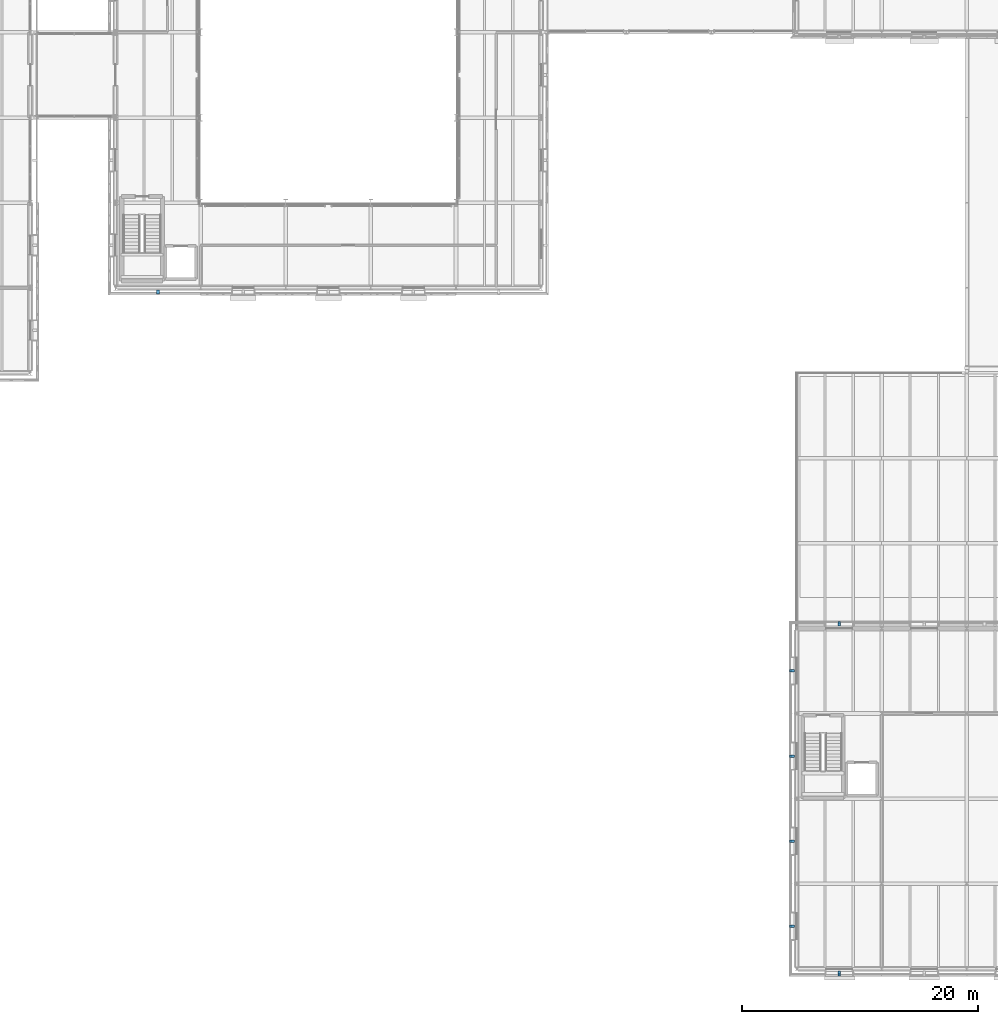
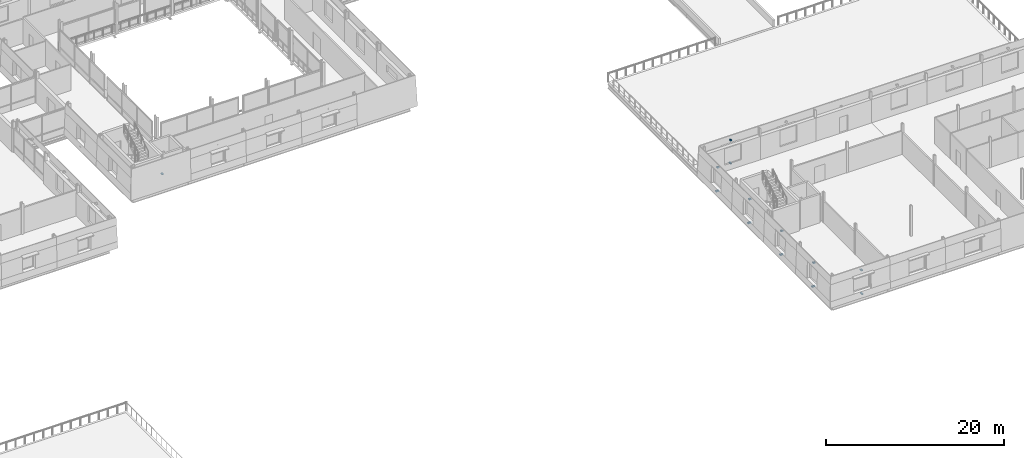
# One storey, part 81 of 115: 13 discrete accessories.
"""IFC4 building model written with IfcOpenShell, lengths in metres."""

from ifc_helpers import new_model, si_unit, direction, frame, origin, origin_2d, place, context, subcontext, project, spatial, rectangle, extrude, material, layer, layer_set, type_object, element, save


model = new_model("IFC4")

# Units and contexts
model_context = context("Model", 3, precision=1e-05, world=origin(), true_north=direction((0.0, 1.0)))
body_context = subcontext(model_context, "Body", "Model", "MODEL_VIEW")
ifc_project = project(units=[si_unit("LENGTHUNIT", "METRE"), si_unit("AREAUNIT", "SQUARE_METRE"), si_unit("VOLUMEUNIT", "CUBIC_METRE"), si_unit("PLANEANGLEUNIT", "RADIAN"), si_unit("MASSUNIT", "GRAM", prefix="KILO")], contexts=[model_context])

# Site, building, storey
site_placement = place(None, origin())
site = spatial("IfcSite", under=ifc_project, at=site_placement, CompositionType="ELEMENT")
building_placement = place(site_placement, origin())
building = spatial("IfcBuilding", under=site, at=building_placement, Name="Narikvali Park Central Library", CompositionType="ELEMENT")
storey_placement = place(building_placement, frame((0.0, 0.0, 10.199951171875)))
storey = spatial("IfcBuildingStorey", under=building, at=storey_placement, Name="L02", CompositionType="ELEMENT", Elevation=10.199951171875)

# Discrete accessories
ifc_material = material(Name="Brushed Stainless Steel S355", Category="steel")
ifc_layer = layer(ifc_material, 0.139892578125, Name="Brushed Stainless Steel S355")
ifc_layer_set = layer_set([ifc_layer], Name="Brushed Stainless Steel S355")
discrete_accessory_type = type_object("IfcDiscreteAccessoryType", Name="Cladding Stainless Tie-Back Corbel Bracket", PredefinedType="BRACKET", material=ifc_layer_set)
discrete_accessory_1_placement = place(storey_placement, frame((68.39990234375, 57.24658203125, 2.0302734375), z_axis=(0.0, 0.0, 1.0), x_axis=(1.0, 0.0, 0.0)))
element("IfcDiscreteAccessory", 1, at=discrete_accessory_1_placement, inside=storey, type_object=discrete_accessory_type, Name="Limestone Cladding Tie-Back Bracket V1-CLD-L02-S-B01-FULL", PredefinedType="BRACKET", context=body_context, shape_type="SweptSolid", body=[
    extrude(rectangle(XDim=0.219970703125, YDim=0.32666015625, at=origin_2d()), origin(), (0.0, 0.0, 1.0), 0.139892578125),
])
discrete_accessory_2_placement = place(storey_placement, frame((126.0, -0.387451171875, 0.365234375), z_axis=(0.0, 0.0, 1.0), x_axis=(1.0, 0.0, 0.0)))
element("IfcDiscreteAccessory", 2, at=discrete_accessory_2_placement, inside=storey, type_object=discrete_accessory_type, Name="Limestone Cladding Tie-Back Bracket V6-CLD-L02-S-B01-SP", PredefinedType="BRACKET", context=body_context, shape_type="SweptSolid", body=[
    extrude(rectangle(XDim=0.219970703125, YDim=0.394775390625, at=origin_2d()), origin(), (0.0, 0.0, 1.0), 0.139892578125),
])
discrete_accessory_3_placement = place(storey_placement, frame((126.0, -0.3212890625, 3.59033203125), z_axis=(0.0, 0.0, 1.0), x_axis=(1.0, 0.0, 0.0)))
element("IfcDiscreteAccessory", 3, at=discrete_accessory_3_placement, inside=storey, type_object=discrete_accessory_type, Name="Limestone Cladding Tie-Back Bracket V6-CLD-L02-S-B01-LN", PredefinedType="BRACKET", context=body_context, shape_type="SweptSolid", body=[
    extrude(rectangle(XDim=0.219970703125, YDim=0.2626953125, at=origin_2d()), origin(), (0.0, 0.0, 1.0), 0.139892578125),
])
discrete_accessory_4_placement = place(storey_placement, frame((126.0, 29.1875, 0.365234375), z_axis=(0.0, 0.0, 1.0), x_axis=(1.0, 0.0, 0.0)))
element("IfcDiscreteAccessory", 4, at=discrete_accessory_4_placement, inside=storey, type_object=discrete_accessory_type, Name="Limestone Cladding Tie-Back Bracket V6-CLD-L02-N-B06-SP", PredefinedType="BRACKET", context=body_context, shape_type="SweptSolid", body=[
    extrude(rectangle(XDim=0.219970703125, YDim=0.394775390625, at=origin_2d()), origin(), (0.0, 0.0, 1.0), 0.139892578125),
])
discrete_accessory_5_placement = place(storey_placement, frame((126.0, 29.121337890625, 3.59033203125), z_axis=(0.0, 0.0, 1.0), x_axis=(1.0, 0.0, 0.0)))
element("IfcDiscreteAccessory", 5, at=discrete_accessory_5_placement, inside=storey, type_object=discrete_accessory_type, Name="Limestone Cladding Tie-Back Bracket V6-CLD-L02-N-B06-LN", PredefinedType="BRACKET", context=body_context, shape_type="SweptSolid", body=[
    extrude(rectangle(XDim=0.219970703125, YDim=0.2626953125, at=origin_2d()), origin(), (0.0, 0.0, 1.0), 0.139892578125),
])
discrete_accessory_6_placement = place(storey_placement, frame((122.0126953125, 25.199951171875, 0.365234375), z_axis=(0.0, 0.0, 1.0), x_axis=(1.0, 0.0, 0.0)))
element("IfcDiscreteAccessory", 6, at=discrete_accessory_6_placement, inside=storey, type_object=discrete_accessory_type, Name="Limestone Cladding Tie-Back Bracket V6-CLD-L02-W-B01-SP", PredefinedType="BRACKET", context=body_context, shape_type="SweptSolid", body=[
    extrude(rectangle(XDim=0.394775390625, YDim=0.219970703125, at=origin_2d()), origin(), (0.0, 0.0, 1.0), 0.139892578125),
])
discrete_accessory_7_placement = place(storey_placement, frame((122.07861328125, 25.199951171875, 3.59033203125), z_axis=(0.0, 0.0, 1.0), x_axis=(1.0, 0.0, 0.0)))
element("IfcDiscreteAccessory", 7, at=discrete_accessory_7_placement, inside=storey, type_object=discrete_accessory_type, Name="Limestone Cladding Tie-Back Bracket V6-CLD-L02-W-B01-LN", PredefinedType="BRACKET", context=body_context, shape_type="SweptSolid", body=[
    extrude(rectangle(XDim=0.2626953125, YDim=0.219970703125, at=origin_2d()), origin(), (0.0, 0.0, 1.0), 0.139892578125),
])
discrete_accessory_8_placement = place(storey_placement, frame((122.0126953125, 18.0, 0.365234375), z_axis=(0.0, 0.0, 1.0), x_axis=(1.0, 0.0, 0.0)))
element("IfcDiscreteAccessory", 8, at=discrete_accessory_8_placement, inside=storey, type_object=discrete_accessory_type, Name="Limestone Cladding Tie-Back Bracket V6-CLD-L02-W-B02-SP", PredefinedType="BRACKET", context=body_context, shape_type="SweptSolid", body=[
    extrude(rectangle(XDim=0.394775390625, YDim=0.219970703125, at=origin_2d()), origin(), (0.0, 0.0, 1.0), 0.139892578125),
])
discrete_accessory_9_placement = place(storey_placement, frame((122.07861328125, 18.0, 3.59033203125), z_axis=(0.0, 0.0, 1.0), x_axis=(1.0, 0.0, 0.0)))
element("IfcDiscreteAccessory", 9, at=discrete_accessory_9_placement, inside=storey, type_object=discrete_accessory_type, Name="Limestone Cladding Tie-Back Bracket V6-CLD-L02-W-B02-LN", PredefinedType="BRACKET", context=body_context, shape_type="SweptSolid", body=[
    extrude(rectangle(XDim=0.2626953125, YDim=0.219970703125, at=origin_2d()), origin(), (0.0, 0.0, 1.0), 0.139892578125),
])
discrete_accessory_10_placement = place(storey_placement, frame((122.0126953125, 10.800048828125, 0.365234375), z_axis=(0.0, 0.0, 1.0), x_axis=(1.0, 0.0, 0.0)))
element("IfcDiscreteAccessory", 10, at=discrete_accessory_10_placement, inside=storey, type_object=discrete_accessory_type, Name="Limestone Cladding Tie-Back Bracket V6-CLD-L02-W-B03-SP", PredefinedType="BRACKET", context=body_context, shape_type="SweptSolid", body=[
    extrude(rectangle(XDim=0.394775390625, YDim=0.219970703125, at=origin_2d()), origin(), (0.0, 0.0, 1.0), 0.139892578125),
])
discrete_accessory_11_placement = place(storey_placement, frame((122.07861328125, 10.800048828125, 3.59033203125), z_axis=(0.0, 0.0, 1.0), x_axis=(1.0, 0.0, 0.0)))
element("IfcDiscreteAccessory", 11, at=discrete_accessory_11_placement, inside=storey, type_object=discrete_accessory_type, Name="Limestone Cladding Tie-Back Bracket V6-CLD-L02-W-B03-LN", PredefinedType="BRACKET", context=body_context, shape_type="SweptSolid", body=[
    extrude(rectangle(XDim=0.2626953125, YDim=0.219970703125, at=origin_2d()), origin(), (0.0, 0.0, 1.0), 0.139892578125),
])
discrete_accessory_12_placement = place(storey_placement, frame((122.0126953125, 3.60009765625, 0.365234375), z_axis=(0.0, 0.0, 1.0), x_axis=(1.0, 0.0, 0.0)))
element("IfcDiscreteAccessory", 12, at=discrete_accessory_12_placement, inside=storey, type_object=discrete_accessory_type, Name="Limestone Cladding Tie-Back Bracket V6-CLD-L02-W-B04-SP", PredefinedType="BRACKET", context=body_context, shape_type="SweptSolid", body=[
    extrude(rectangle(XDim=0.394775390625, YDim=0.219970703125, at=origin_2d()), origin(), (0.0, 0.0, 1.0), 0.139892578125),
])
discrete_accessory_13_placement = place(storey_placement, frame((122.07861328125, 3.60009765625, 3.59033203125), z_axis=(0.0, 0.0, 1.0), x_axis=(1.0, 0.0, 0.0)))
element("IfcDiscreteAccessory", 13, at=discrete_accessory_13_placement, inside=storey, type_object=discrete_accessory_type, Name="Limestone Cladding Tie-Back Bracket V6-CLD-L02-W-B04-LN", PredefinedType="BRACKET", context=body_context, shape_type="SweptSolid", body=[
    extrude(rectangle(XDim=0.2626953125, YDim=0.219970703125, at=origin_2d()), origin(), (0.0, 0.0, 1.0), 0.139892578125),
])

save(model, "model.ifc")
